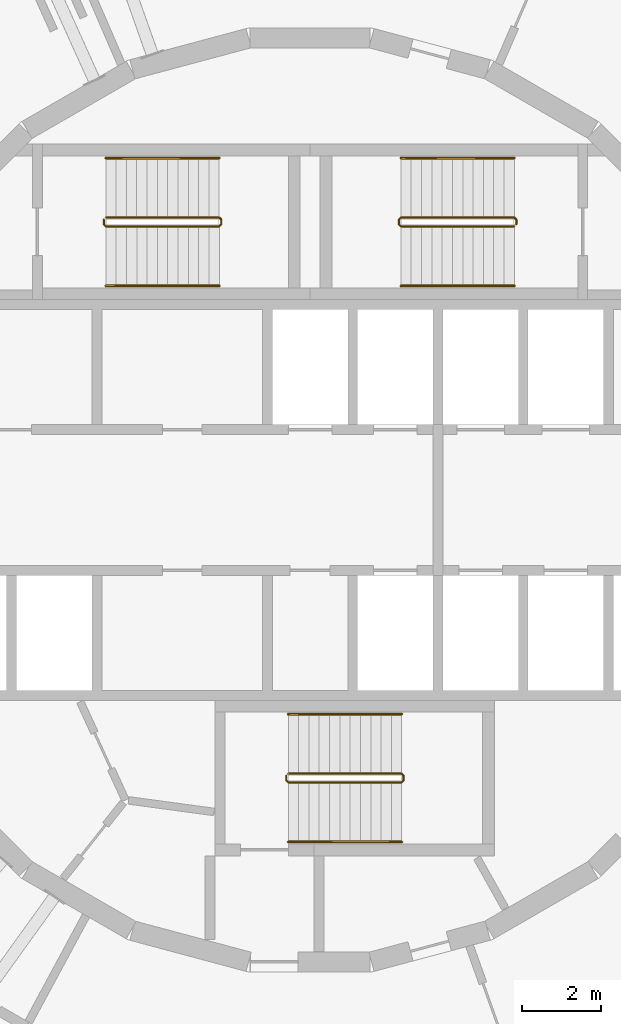
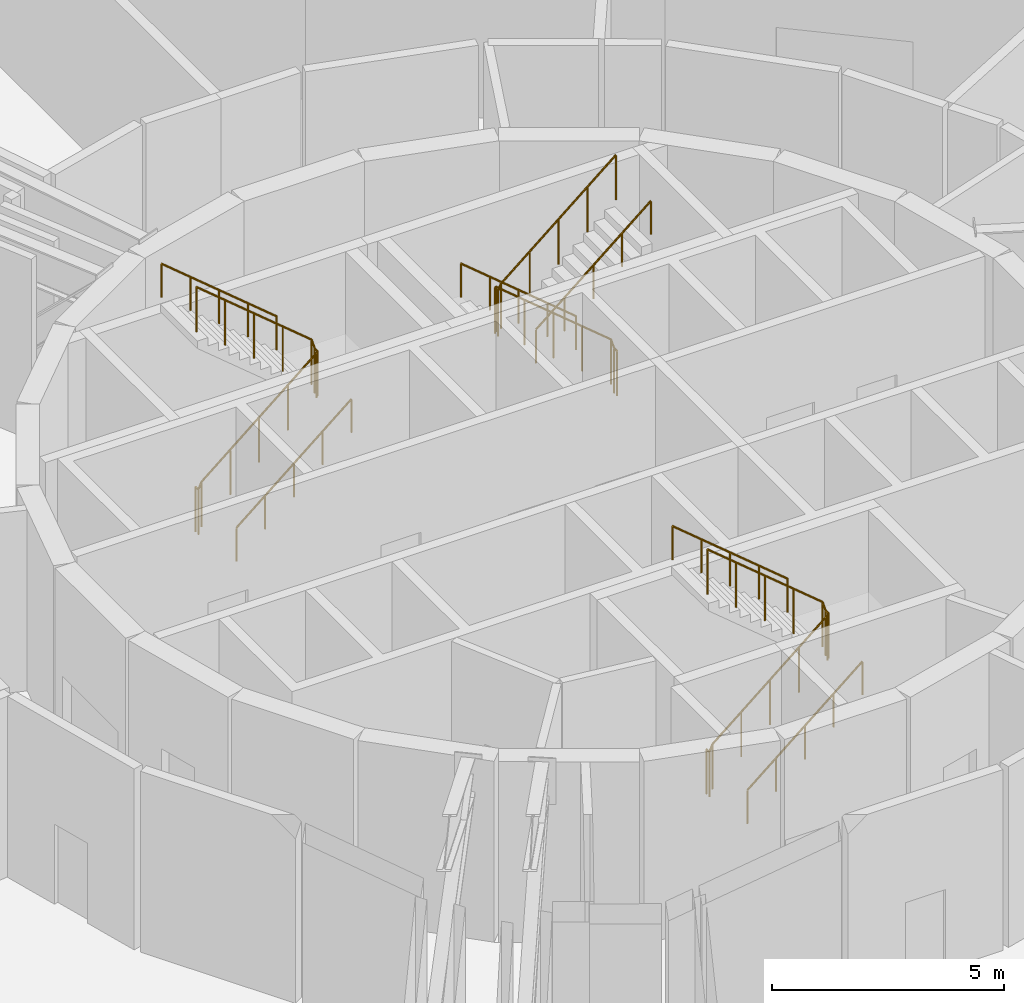
# One storey, part 12 of 12: 9 railings.
"""IFC4 building model written with IfcOpenShell, lengths in metres."""

from ifc_helpers import new_model, si_unit, direction, frame, origin, origin_2d, place, context, subcontext, project, spatial, circle, extrude, material, type_object, element, save


model = new_model("IFC4")

# Units and contexts
model_context = context("Model", 3, precision=1e-05, world=origin(), true_north=direction((0.0, 1.0)))
body_context = subcontext(model_context, "Body", "Model", "MODEL_VIEW")
ifc_project = project(units=[si_unit("LENGTHUNIT", "METRE"), si_unit("AREAUNIT", "SQUARE_METRE"), si_unit("VOLUMEUNIT", "CUBIC_METRE"), si_unit("PLANEANGLEUNIT", "RADIAN"), si_unit("MASSUNIT", "GRAM", prefix="KILO")], contexts=[model_context])

# Site, building, storey
site_placement = place(None, origin())
site = spatial("IfcSite", under=ifc_project, at=site_placement, CompositionType="ELEMENT")
building_placement = place(site_placement, origin())
building = spatial("IfcBuilding", under=site, at=building_placement, Name="Spindle Arch Residences", CompositionType="ELEMENT")
storey_placement = place(building_placement, frame((0.0, 0.0, 183.199951171875)))
storey = spatial("IfcBuildingStorey", under=building, at=storey_placement, Name="L46", CompositionType="ELEMENT", Elevation=183.199951171875)

# Railings
ifc_material_1 = material(Name="Steel, painted", Category="steel")
railing_type_1 = type_object("IfcRailingType", Name="Stair guard 1100", PredefinedType="GUARDRAIL", material=ifc_material_1)
railing_1_placement = place(storey_placement, frame((5.14990234375, 6.89990234375, 5.199951171875)))
element("IfcRailing", 1, at=railing_1_placement, inside=storey, type_object=railing_type_1, Name="L46 ST1 stair guard 1", PredefinedType="GUARDRAIL", context=body_context, shape_type="SweptSolid", body=[
    extrude(circle(Radius=0.02392578125, at=origin_2d()), frame((0.0, 0.0, 1.17578125), z_axis=(-0.76821052858, 0.0, -0.640197300665), x_axis=(0.0, -1.0, 0.0)), (0.0, 0.0, 1.0), 3.72265625),
    extrude(circle(Radius=0.02392578125, at=origin_2d()), frame((-2.85986328125, 0.0, -1.20751953125), z_axis=(-0.219679693006, 0.219679693006, -0.950516525349), x_axis=(-0.707106781187, -0.707106781187, 0.0)), (0.0, 0.0, 1.0), 0.227783203125),
    extrude(circle(Radius=0.02392578125, at=origin_2d()), frame((-2.909912109375, 0.050048828125, -1.423828125), z_axis=(0.0, 1.0, 0.0), x_axis=(-1.0, 0.0, 0.0)), (0.0, 0.0, 1.0), 0.1201171875),
    extrude(circle(Radius=0.02392578125, at=origin_2d()), frame((-2.909912109375, 0.170166015625, -1.423828125), z_axis=(0.707106781187, 0.707106781187, 0.0), x_axis=(-0.707106781187, 0.707106781187, 0.0)), (0.0, 0.0, 1.0), 0.07080078125),
    extrude(circle(Radius=0.02392578125, at=origin_2d()), frame((-2.85986328125, 0.22021484375, -1.423828125), z_axis=(0.76821052858, 0.0, -0.640197300665), x_axis=(0.0, 1.0, 0.0)), (0.0, 0.0, 1.0), 3.72265625),
    extrude(circle(Radius=0.02392578125, at=origin_2d()), frame((0.0, 0.22021484375, -3.80712890625), z_axis=(0.219456146917, -0.219456146917, -0.950619797375), x_axis=(0.707106781187, 0.707106781187, 0.0)), (0.0, 0.0, 1.0), 0.22802734375),
    extrude(circle(Radius=0.02392578125, at=origin_2d()), frame((0.050048828125, 0.170166015625, -4.02392578125), z_axis=(0.0, -1.0, 0.0), x_axis=(1.0, 0.0, 0.0)), (0.0, 0.0, 1.0), 0.1201171875),
    extrude(circle(Radius=0.02099609375, at=origin_2d()), origin(), (0.0, 0.0, 1.0), 1.15185546875),
    extrude(circle(Radius=0.02099609375, at=origin_2d()), frame((-0.71484375, 0.0, -0.595703125)), (0.0, 0.0, 1.0), 1.15185546875),
    extrude(circle(Radius=0.02099609375, at=origin_2d()), frame((-1.429931640625, 0.0, -1.191650390625)), (0.0, 0.0, 1.0), 1.15185546875),
    extrude(circle(Radius=0.02099609375, at=origin_2d()), frame((-2.14501953125, 0.0, -1.78759765625)), (0.0, 0.0, 1.0), 1.15185546875),
    extrude(circle(Radius=0.02099609375, at=origin_2d()), frame((-2.85986328125, 0.0, -2.38330078125)), (0.0, 0.0, 1.0), 1.15185546875),
    extrude(circle(Radius=0.02099609375, at=origin_2d()), frame((-2.909912109375, 0.050048828125, -2.599853515625)), (0.0, 0.0, 1.0), 1.15185546875),
    extrude(circle(Radius=0.02099609375, at=origin_2d()), frame((-2.909912109375, 0.170166015625, -2.599853515625)), (0.0, 0.0, 1.0), 1.15185546875),
    extrude(circle(Radius=0.02099609375, at=origin_2d()), frame((-2.85986328125, 0.22021484375, -2.599853515625)), (0.0, 0.0, 1.0), 1.15185546875),
    extrude(circle(Radius=0.02099609375, at=origin_2d()), frame((-2.14501953125, 0.22021484375, -3.19580078125)), (0.0, 0.0, 1.0), 1.15185546875),
    extrude(circle(Radius=0.02099609375, at=origin_2d()), frame((-1.429931640625, 0.22021484375, -3.79150390625)), (0.0, 0.0, 1.0), 1.15185546875),
    extrude(circle(Radius=0.02099609375, at=origin_2d()), frame((-0.71484375, 0.22021484375, -4.38720703125)), (0.0, 0.0, 1.0), 1.15185546875),
    extrude(circle(Radius=0.02099609375, at=origin_2d()), frame((0.0, 0.22021484375, -4.983154296875)), (0.0, 0.0, 1.0), 1.15185546875),
    extrude(circle(Radius=0.02099609375, at=origin_2d()), frame((0.050048828125, 0.170166015625, -5.199951171875)), (0.0, 0.0, 1.0), 1.15185546875),
    extrude(circle(Radius=0.02099609375, at=origin_2d()), frame((0.050048828125, 0.050048828125, -5.199951171875)), (0.0, 0.0, 1.0), 1.15185546875),
])
railing_2_placement = place(storey_placement, frame((-5.14990234375, 7.1201171875, 5.199951171875)))
element("IfcRailing", 2, at=railing_2_placement, inside=storey, type_object=railing_type_1, Name="L46 ST2 stair guard 1", PredefinedType="GUARDRAIL", context=body_context, shape_type="SweptSolid", body=[
    extrude(circle(Radius=0.02392578125, at=origin_2d()), frame((0.0, 0.0, 1.17578125), z_axis=(0.76821052858, 0.0, -0.640197300665), x_axis=(0.0, 1.0, 0.0)), (0.0, 0.0, 1.0), 3.72265625),
    extrude(circle(Radius=0.02392578125, at=origin_2d()), frame((2.85986328125, 0.0, -1.20751953125), z_axis=(0.219679693006, -0.219679693006, -0.950516525349), x_axis=(0.707106781187, 0.707106781187, 0.0)), (0.0, 0.0, 1.0), 0.227783203125),
    extrude(circle(Radius=0.02392578125, at=origin_2d()), frame((2.909912109375, -0.050048828125, -1.423828125), z_axis=(0.0, -1.0, 0.0), x_axis=(1.0, 0.0, 0.0)), (0.0, 0.0, 1.0), 0.1201171875),
    extrude(circle(Radius=0.02392578125, at=origin_2d()), frame((2.909912109375, -0.170166015625, -1.423828125), z_axis=(-0.707106781187, -0.707106781187, 0.0), x_axis=(0.707106781187, -0.707106781187, 0.0)), (0.0, 0.0, 1.0), 0.07080078125),
    extrude(circle(Radius=0.02392578125, at=origin_2d()), frame((2.85986328125, -0.22021484375, -1.423828125), z_axis=(-0.76821052858, 0.0, -0.640197300665), x_axis=(0.0, -1.0, 0.0)), (0.0, 0.0, 1.0), 3.72265625),
    extrude(circle(Radius=0.02392578125, at=origin_2d()), frame((0.0, -0.22021484375, -3.80712890625), z_axis=(-0.219456146917, 0.219456146917, -0.950619797375), x_axis=(-0.707106781187, -0.707106781187, 0.0)), (0.0, 0.0, 1.0), 0.22802734375),
    extrude(circle(Radius=0.02392578125, at=origin_2d()), frame((-0.050048828125, -0.170166015625, -4.02392578125), z_axis=(0.0, 1.0, 0.0), x_axis=(-1.0, 0.0, 0.0)), (0.0, 0.0, 1.0), 0.1201171875),
    extrude(circle(Radius=0.02099609375, at=origin_2d()), origin(), (0.0, 0.0, 1.0), 1.15185546875),
    extrude(circle(Radius=0.02099609375, at=origin_2d()), frame((0.71484375, 0.0, -0.595703125)), (0.0, 0.0, 1.0), 1.15185546875),
    extrude(circle(Radius=0.02099609375, at=origin_2d()), frame((1.429931640625, 0.0, -1.191650390625)), (0.0, 0.0, 1.0), 1.15185546875),
    extrude(circle(Radius=0.02099609375, at=origin_2d()), frame((2.14501953125, 0.0, -1.78759765625)), (0.0, 0.0, 1.0), 1.15185546875),
    extrude(circle(Radius=0.02099609375, at=origin_2d()), frame((2.85986328125, 0.0, -2.38330078125)), (0.0, 0.0, 1.0), 1.15185546875),
    extrude(circle(Radius=0.02099609375, at=origin_2d()), frame((2.909912109375, -0.050048828125, -2.599853515625)), (0.0, 0.0, 1.0), 1.15185546875),
    extrude(circle(Radius=0.02099609375, at=origin_2d()), frame((2.909912109375, -0.170166015625, -2.599853515625)), (0.0, 0.0, 1.0), 1.15185546875),
    extrude(circle(Radius=0.02099609375, at=origin_2d()), frame((2.85986328125, -0.22021484375, -2.599853515625)), (0.0, 0.0, 1.0), 1.15185546875),
    extrude(circle(Radius=0.02099609375, at=origin_2d()), frame((2.14501953125, -0.22021484375, -3.19580078125)), (0.0, 0.0, 1.0), 1.15185546875),
    extrude(circle(Radius=0.02099609375, at=origin_2d()), frame((1.429931640625, -0.22021484375, -3.79150390625)), (0.0, 0.0, 1.0), 1.15185546875),
    extrude(circle(Radius=0.02099609375, at=origin_2d()), frame((0.71484375, -0.22021484375, -4.38720703125)), (0.0, 0.0, 1.0), 1.15185546875),
    extrude(circle(Radius=0.02099609375, at=origin_2d()), frame((0.0, -0.22021484375, -4.983154296875)), (0.0, 0.0, 1.0), 1.15185546875),
    extrude(circle(Radius=0.02099609375, at=origin_2d()), frame((-0.050048828125, -0.170166015625, -5.199951171875)), (0.0, 0.0, 1.0), 1.15185546875),
    extrude(circle(Radius=0.02099609375, at=origin_2d()), frame((-0.050048828125, -0.050048828125, -5.199951171875)), (0.0, 0.0, 1.0), 1.15185546875),
])
railing_3_placement = place(storey_placement, frame((-0.550048828125, -6.89990234375, 5.199951171875)))
element("IfcRailing", 3, at=railing_3_placement, inside=storey, type_object=railing_type_1, Name="L46 ST3 stair guard 1", PredefinedType="GUARDRAIL", context=body_context, shape_type="SweptSolid", body=[
    extrude(circle(Radius=0.02392578125, at=origin_2d()), frame((0.0, 0.0, 1.17578125), z_axis=(0.768237404905, 0.0, -0.640165048799), x_axis=(0.0, 1.0, 0.0)), (0.0, 0.0, 1.0), 3.722900390625),
    extrude(circle(Radius=0.02392578125, at=origin_2d()), frame((2.860107421875, 0.0, -1.20751953125), z_axis=(0.219679693006, -0.219679693006, -0.950516525349), x_axis=(0.707106781187, 0.707106781187, 0.0)), (0.0, 0.0, 1.0), 0.227783203125),
    extrude(circle(Radius=0.02392578125, at=origin_2d()), frame((2.91015625, -0.050048828125, -1.423828125), z_axis=(0.0, -1.0, 0.0), x_axis=(1.0, 0.0, 0.0)), (0.0, 0.0, 1.0), 0.1201171875),
    extrude(circle(Radius=0.02392578125, at=origin_2d()), frame((2.91015625, -0.170166015625, -1.423828125), z_axis=(-0.707106781187, -0.707106781187, 0.0), x_axis=(0.707106781187, -0.707106781187, 0.0)), (0.0, 0.0, 1.0), 0.07080078125),
    extrude(circle(Radius=0.02392578125, at=origin_2d()), frame((2.860107421875, -0.22021484375, -1.423828125), z_axis=(-0.768237404905, 0.0, -0.640165048799), x_axis=(0.0, -1.0, 0.0)), (0.0, 0.0, 1.0), 3.722900390625),
    extrude(circle(Radius=0.02392578125, at=origin_2d()), frame((0.0, -0.22021484375, -3.80712890625), z_axis=(-0.219456146917, 0.219456146917, -0.950619797375), x_axis=(-0.707106781187, -0.707106781187, 0.0)), (0.0, 0.0, 1.0), 0.22802734375),
    extrude(circle(Radius=0.02392578125, at=origin_2d()), frame((-0.050048828125, -0.170166015625, -4.02392578125), z_axis=(0.0, 1.0, 0.0), x_axis=(-1.0, 0.0, 0.0)), (0.0, 0.0, 1.0), 0.1201171875),
    extrude(circle(Radius=0.02099609375, at=origin_2d()), origin(), (0.0, 0.0, 1.0), 1.15185546875),
    extrude(circle(Radius=0.02099609375, at=origin_2d()), frame((0.715087890625, 0.0, -0.595703125)), (0.0, 0.0, 1.0), 1.15185546875),
    extrude(circle(Radius=0.02099609375, at=origin_2d()), frame((1.43017578125, 0.0, -1.191650390625)), (0.0, 0.0, 1.0), 1.15185546875),
    extrude(circle(Radius=0.02099609375, at=origin_2d()), frame((2.14501953125, 0.0, -1.78759765625)), (0.0, 0.0, 1.0), 1.15185546875),
    extrude(circle(Radius=0.02099609375, at=origin_2d()), frame((2.860107421875, 0.0, -2.38330078125)), (0.0, 0.0, 1.0), 1.15185546875),
    extrude(circle(Radius=0.02099609375, at=origin_2d()), frame((2.91015625, -0.050048828125, -2.599853515625)), (0.0, 0.0, 1.0), 1.15185546875),
    extrude(circle(Radius=0.02099609375, at=origin_2d()), frame((2.91015625, -0.170166015625, -2.599853515625)), (0.0, 0.0, 1.0), 1.15185546875),
    extrude(circle(Radius=0.02099609375, at=origin_2d()), frame((2.860107421875, -0.22021484375, -2.599853515625)), (0.0, 0.0, 1.0), 1.15185546875),
    extrude(circle(Radius=0.02099609375, at=origin_2d()), frame((2.14501953125, -0.22021484375, -3.19580078125)), (0.0, 0.0, 1.0), 1.15185546875),
    extrude(circle(Radius=0.02099609375, at=origin_2d()), frame((1.43017578125, -0.22021484375, -3.79150390625)), (0.0, 0.0, 1.0), 1.15185546875),
    extrude(circle(Radius=0.02099609375, at=origin_2d()), frame((0.715087890625, -0.22021484375, -4.38720703125)), (0.0, 0.0, 1.0), 1.15185546875),
    extrude(circle(Radius=0.02099609375, at=origin_2d()), frame((0.0, -0.22021484375, -4.983154296875)), (0.0, 0.0, 1.0), 1.15185546875),
    extrude(circle(Radius=0.02099609375, at=origin_2d()), frame((-0.050048828125, -0.170166015625, -5.199951171875)), (0.0, 0.0, 1.0), 1.15185546875),
    extrude(circle(Radius=0.02099609375, at=origin_2d()), frame((-0.050048828125, -0.050048828125, -5.199951171875)), (0.0, 0.0, 1.0), 1.15185546875),
])
ifc_material_2 = material(Name="Steel, painted", Category="steel")
railing_type_2 = type_object("IfcRailingType", Name="Stair handrail 900", PredefinedType="HANDRAIL", material=ifc_material_2)
railing_4_placement = place(storey_placement, frame((5.14990234375, 8.6201171875, 0.216796875)))
element("IfcRailing", 4, at=railing_4_placement, inside=storey, type_object=railing_type_2, Name="L46 ST1 stair handrail 1", PredefinedType="HANDRAIL", context=body_context, shape_type="SweptSolid", body=[
    extrude(circle(Radius=0.02392578125, at=origin_2d()), frame((0.0, 0.0, 0.8759765625), z_axis=(-0.76821052858, 0.0, 0.640197300665), x_axis=(0.0, -1.0, 0.0)), (0.0, 0.0, 1.0), 3.72265625),
    extrude(circle(Radius=0.02099609375, at=origin_2d()), origin(), (0.0, 0.0, 1.0), 0.851806640625),
    extrude(circle(Radius=0.02099609375, at=origin_2d()), frame((-0.71484375, 0.0, 0.595703125)), (0.0, 0.0, 1.0), 0.851806640625),
    extrude(circle(Radius=0.02099609375, at=origin_2d()), frame((-1.429931640625, 0.0, 1.191650390625)), (0.0, 0.0, 1.0), 0.851806640625),
    extrude(circle(Radius=0.02099609375, at=origin_2d()), frame((-2.14501953125, 0.0, 1.78759765625)), (0.0, 0.0, 1.0), 0.851806640625),
    extrude(circle(Radius=0.02099609375, at=origin_2d()), frame((-2.85986328125, 0.0, 2.38330078125)), (0.0, 0.0, 1.0), 0.851806640625),
])
for number, where, name in (
    (5, (2.2900390625, 5.39990234375, 2.816650390625), "L46 ST1 stair handrail 2"),
    (6, (-5.14990234375, 5.39990234375, 0.216796875), "L46 ST2 stair handrail 1"),
):
    element("IfcRailing", number, at=place(storey_placement, frame(where)), inside=storey, type_object=railing_type_2, Name=name, PredefinedType="HANDRAIL", context=body_context, shape_type="SweptSolid", body=[
        extrude(circle(Radius=0.02392578125, at=origin_2d()), frame((0.0, 0.0, 0.8759765625), z_axis=(0.76821052858, 0.0, 0.640197300665), x_axis=(0.0, 1.0, 0.0)), (0.0, 0.0, 1.0), 3.72265625),
        extrude(circle(Radius=0.02099609375, at=origin_2d()), origin(), (0.0, 0.0, 1.0), 0.851806640625),
        extrude(circle(Radius=0.02099609375, at=origin_2d()), frame((0.71484375, 0.0, 0.595703125)), (0.0, 0.0, 1.0), 0.851806640625),
        extrude(circle(Radius=0.02099609375, at=origin_2d()), frame((1.429931640625, 0.0, 1.191650390625)), (0.0, 0.0, 1.0), 0.851806640625),
        extrude(circle(Radius=0.02099609375, at=origin_2d()), frame((2.14501953125, 0.0, 1.78759765625)), (0.0, 0.0, 1.0), 0.851806640625),
        extrude(circle(Radius=0.02099609375, at=origin_2d()), frame((2.85986328125, 0.0, 2.38330078125)), (0.0, 0.0, 1.0), 0.851806640625),
    ])
railing_5_placement = place(storey_placement, frame((-2.2900390625, 8.6201171875, 2.816650390625)))
element("IfcRailing", 7, at=railing_5_placement, inside=storey, type_object=railing_type_2, Name="L46 ST2 stair handrail 2", PredefinedType="HANDRAIL", context=body_context, shape_type="SweptSolid", body=[
    extrude(circle(Radius=0.02392578125, at=origin_2d()), frame((0.0, 0.0, 0.8759765625), z_axis=(-0.76821052858, 0.0, 0.640197300665), x_axis=(0.0, -1.0, 0.0)), (0.0, 0.0, 1.0), 3.72265625),
    extrude(circle(Radius=0.02099609375, at=origin_2d()), origin(), (0.0, 0.0, 1.0), 0.851806640625),
    extrude(circle(Radius=0.02099609375, at=origin_2d()), frame((-0.71484375, 0.0, 0.595703125)), (0.0, 0.0, 1.0), 0.851806640625),
    extrude(circle(Radius=0.02099609375, at=origin_2d()), frame((-1.429931640625, 0.0, 1.191650390625)), (0.0, 0.0, 1.0), 0.851806640625),
    extrude(circle(Radius=0.02099609375, at=origin_2d()), frame((-2.14501953125, 0.0, 1.78759765625)), (0.0, 0.0, 1.0), 0.851806640625),
    extrude(circle(Radius=0.02099609375, at=origin_2d()), frame((-2.85986328125, 0.0, 2.38330078125)), (0.0, 0.0, 1.0), 0.851806640625),
])
railing_6_placement = place(storey_placement, frame((-0.550048828125, -8.6201171875, 0.216796875)))
element("IfcRailing", 8, at=railing_6_placement, inside=storey, type_object=railing_type_2, Name="L46 ST3 stair handrail 1", PredefinedType="HANDRAIL", context=body_context, shape_type="SweptSolid", body=[
    extrude(circle(Radius=0.02392578125, at=origin_2d()), frame((0.0, 0.0, 0.8759765625), z_axis=(0.768237404905, 0.0, 0.640165048799), x_axis=(0.0, 1.0, 0.0)), (0.0, 0.0, 1.0), 3.722900390625),
    extrude(circle(Radius=0.02099609375, at=origin_2d()), origin(), (0.0, 0.0, 1.0), 0.851806640625),
    extrude(circle(Radius=0.02099609375, at=origin_2d()), frame((0.715087890625, 0.0, 0.595703125)), (0.0, 0.0, 1.0), 0.851806640625),
    extrude(circle(Radius=0.02099609375, at=origin_2d()), frame((1.43017578125, 0.0, 1.191650390625)), (0.0, 0.0, 1.0), 0.851806640625),
    extrude(circle(Radius=0.02099609375, at=origin_2d()), frame((2.14501953125, 0.0, 1.78759765625)), (0.0, 0.0, 1.0), 0.851806640625),
    extrude(circle(Radius=0.02099609375, at=origin_2d()), frame((2.860107421875, 0.0, 2.38330078125)), (0.0, 0.0, 1.0), 0.851806640625),
])
railing_7_placement = place(storey_placement, frame((2.31005859375, -5.39990234375, 2.816650390625)))
element("IfcRailing", 9, at=railing_7_placement, inside=storey, type_object=railing_type_2, Name="L46 ST3 stair handrail 2", PredefinedType="HANDRAIL", context=body_context, shape_type="SweptSolid", body=[
    extrude(circle(Radius=0.02392578125, at=origin_2d()), frame((0.0, 0.0, 0.8759765625), z_axis=(-0.768237404905, 0.0, 0.640165048799), x_axis=(0.0, -1.0, 0.0)), (0.0, 0.0, 1.0), 3.722900390625),
    extrude(circle(Radius=0.02099609375, at=origin_2d()), origin(), (0.0, 0.0, 1.0), 0.851806640625),
    extrude(circle(Radius=0.02099609375, at=origin_2d()), frame((-0.715087890625, 0.0, 0.595703125)), (0.0, 0.0, 1.0), 0.851806640625),
    extrude(circle(Radius=0.02099609375, at=origin_2d()), frame((-1.43017578125, 0.0, 1.191650390625)), (0.0, 0.0, 1.0), 0.851806640625),
    extrude(circle(Radius=0.02099609375, at=origin_2d()), frame((-2.14501953125, 0.0, 1.78759765625)), (0.0, 0.0, 1.0), 0.851806640625),
    extrude(circle(Radius=0.02099609375, at=origin_2d()), frame((-2.860107421875, 0.0, 2.38330078125)), (0.0, 0.0, 1.0), 0.851806640625),
])

save(model, "model.ifc")
